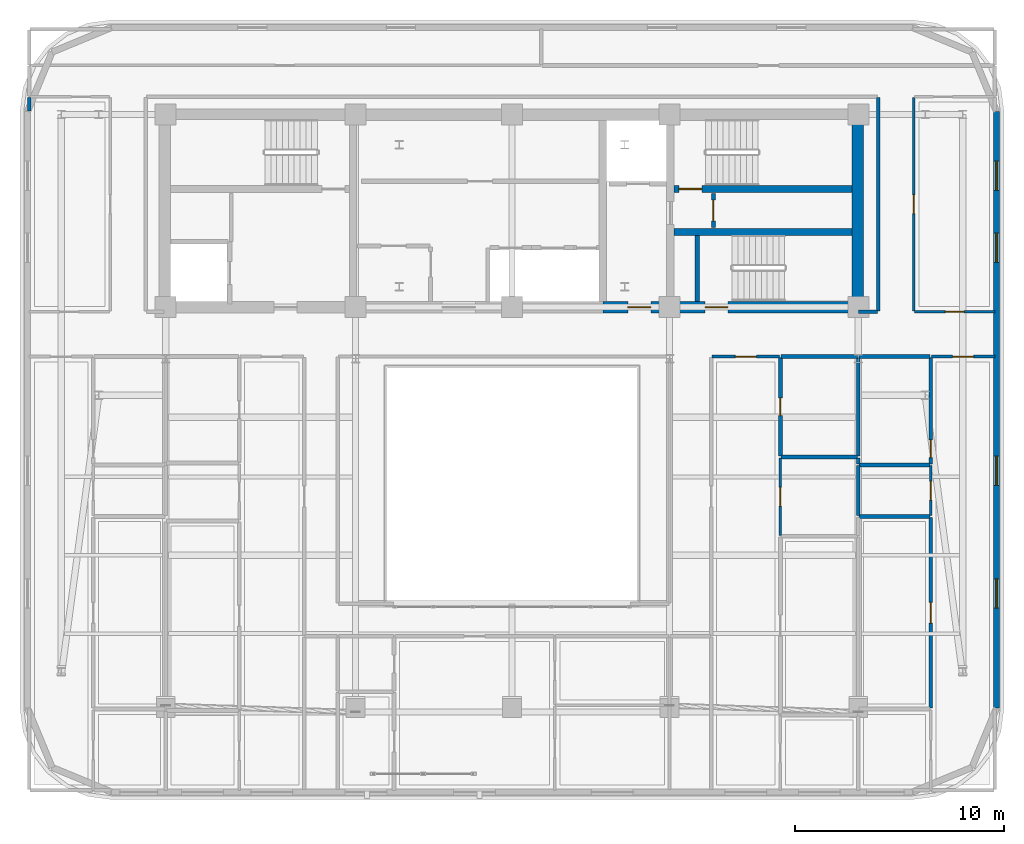
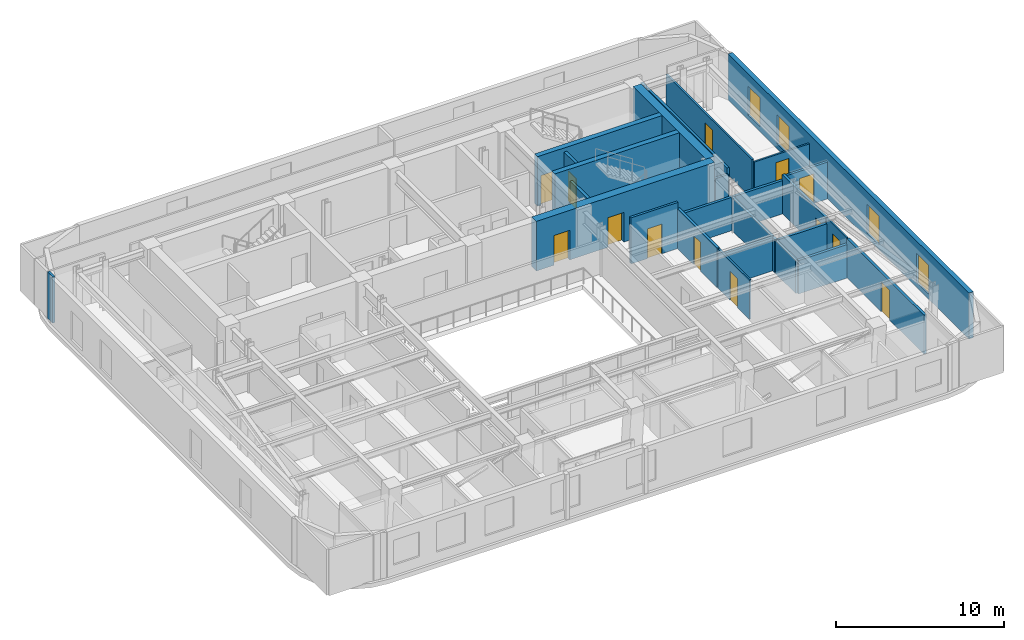
# One storey, part 9 of 14: 27 walls, 13 doors, 4 windows, 17 openings.
"""IFC4 building model written with IfcOpenShell, lengths in metres."""

from ifc_helpers import new_model, si_unit, direction, frame, frame_2d, origin, place, context, subcontext, project, spatial, rectangle, extrude, material, layer, layer_set, type_object, element, fill, save


model = new_model("IFC4")

# Units and contexts
model_context = context("Model", 3, precision=1e-05, world=origin(), true_north=direction((0.0, 1.0)))
body_context = subcontext(model_context, "Body", "Model", "MODEL_VIEW")
ifc_project = project(units=[si_unit("LENGTHUNIT", "METRE"), si_unit("AREAUNIT", "SQUARE_METRE"), si_unit("VOLUMEUNIT", "CUBIC_METRE"), si_unit("PLANEANGLEUNIT", "RADIAN"), si_unit("MASSUNIT", "GRAM", prefix="KILO")], contexts=[model_context])

# Site, building, storey
site_placement = place(None, origin())
site = spatial("IfcSite", under=ifc_project, at=site_placement, CompositionType="ELEMENT")
building_placement = place(site_placement, origin())
building = spatial("IfcBuilding", under=site, at=building_placement, Name="Zarnavel Station Tower", CompositionType="ELEMENT")
storey_placement = place(building_placement, frame((0.0, 0.0, 193.199951171875)))
storey = spatial("IfcBuildingStorey", under=building, at=storey_placement, Name="L52", CompositionType="ELEMENT", Elevation=193.199951171875)

# Wall, opening, door
ifc_material_1 = material(Name="Concrete C50/60", Category="concrete")
ifc_layer_1 = layer(ifc_material_1, 0.35009765625)
ifc_layer_set_1 = layer_set([ifc_layer_1], Name="CW_350")
wall_type_1 = type_object("IfcWallType", Name="CW_350", PredefinedType="SHEAR", material=ifc_layer_set_1)
wall_1_placement = place(storey_placement, frame((45.10498046875, 33.47998046875, 0.0), z_axis=(0.0, 0.0, 1.0), x_axis=(-1.0, 0.0, 0.0)))
wall_1 = element("IfcWall", 1, at=wall_1_placement, inside=storey, type_object=wall_type_1, Name="L52 Rear Core Shear Wall DIV-H2", PredefinedType="SHEAR", context=body_context, shape_type="SweptSolid", body=[
    extrude(rectangle(XDim=8.550048828125, YDim=0.35009765625, at=frame_2d((4.27490234375, 0.0))), origin(), (0.0, 0.0, 1.0), 3.60009765625),
])
opening_1_placement = place(wall_1_placement, frame((7.205078125, 0.0, 0.0)))
opening_1 = element("IfcOpeningElement", 2, at=opening_1_placement, cuts=wall_1, Name="Opening FD01", PredefinedType="OPENING", context=body_context, shape_type="SweptSolid", body=[
    extrude(rectangle(XDim=1.10009765625, YDim=2.14990234375, at=frame_2d((0.550048828125, 1.074951171875))), frame((0.0, 0.18505859375, 0.0), z_axis=(0.0, -1.0, 0.0), x_axis=(1.0, 0.0, 0.0)), (0.0, 0.0, 1.0), 0.3701171875),
])
ifc_material_2 = material(Name="Painted Galvanised Steel and Hardwood Leaf", Category="steel")
door_type_1 = type_object("IfcDoorType", Name="ID_STAIR_1100", OperationType="NOTDEFINED", PredefinedType="DOOR", material=ifc_material_2)
door_1_placement = place(opening_1_placement, origin())
door_1 = element("IfcDoor", 3, at=door_1_placement, inside=storey, type_object=door_type_1, Name="L52 Stair ST2 Lobby Fire Door", OperationType="SINGLE_SWING_RIGHT", OverallHeight=2.14990234375, OverallWidth=1.10009765625, PredefinedType="DOOR", context=body_context, shape_type="SweptSolid", body=[
    extrude(rectangle(XDim=1.10009765625, YDim=2.14990234375, at=frame_2d((0.550048828125, 1.074951171875))), frame((0.0, 0.02490234375, 0.0), z_axis=(0.0, -1.0, 0.0), x_axis=(1.0, 0.0, 0.0)), (0.0, 0.0, 1.0), 0.050048828125),
])
fill(opening_1, door_1)

# Wall
wall_2_placement = place(storey_placement, frame((36.554931640625, 31.419921875, 0.0), z_axis=(0.0, 0.0, 1.0), x_axis=(1.0, 0.0, 0.0)))
element("IfcWall", 4, at=wall_2_placement, inside=storey, type_object=wall_type_1, Name="L52 Rear Core Shear Wall DIV-H3", PredefinedType="SHEAR", context=body_context, shape_type="SweptSolid", body=[
    extrude(rectangle(XDim=8.550048828125, YDim=0.35009765625, at=frame_2d((4.27490234375, 0.0))), origin(), (0.0, 0.0, 1.0), 3.60009765625),
])

# Wall, openings, doors
ifc_material_3 = material(Name="Concrete C50/60", Category="concrete")
ifc_layer_2 = layer(ifc_material_3, 0.550048828125)
ifc_layer_set_2 = layer_set([ifc_layer_2], Name="CW_550")
wall_type_2 = type_object("IfcWallType", Name="CW_550", PredefinedType="SHEAR", material=ifc_layer_set_2)
wall_3_placement = place(storey_placement, frame((45.3798828125, 27.820068359375, 0.0), z_axis=(0.0, 0.0, 1.0), x_axis=(-1.0, 0.0, 0.0)))
wall_3 = element("IfcWall", 5, at=wall_3_placement, inside=storey, type_object=wall_type_2, Name="L52 Rear Core Shear Wall S-E", PredefinedType="SHEAR", context=body_context, shape_type="SweptSolid", body=[
    extrude(rectangle(XDim=12.22998046875, YDim=0.550048828125, at=frame_2d((6.114990234375, 0.0))), origin(), (0.0, 0.0, 1.0), 3.60009765625),
])
opening_2_placement = place(wall_3_placement, frame((9.929931640625, 0.0, 0.0)))
opening_2 = element("IfcOpeningElement", 6, at=opening_2_placement, cuts=wall_3, Name="Opening FD01", PredefinedType="OPENING", context=body_context, shape_type="SweptSolid", body=[
    extrude(rectangle(XDim=1.10009765625, YDim=2.14990234375, at=frame_2d((0.550048828125, 1.074951171875))), frame((0.0, 0.284912109375, 0.0), z_axis=(0.0, -1.0, 0.0), x_axis=(1.0, 0.0, 0.0)), (0.0, 0.0, 1.0), 0.570068359375),
])
opening_3_placement = place(wall_3_placement, frame((6.22998046875, 0.0, 0.0)))
opening_3 = element("IfcOpeningElement", 7, at=opening_3_placement, cuts=wall_3, Name="Opening FD01", PredefinedType="OPENING", context=body_context, shape_type="SweptSolid", body=[
    extrude(rectangle(XDim=1.10009765625, YDim=2.14990234375, at=frame_2d((0.550048828125, 1.074951171875))), frame((0.0, 0.284912109375, 0.0), z_axis=(0.0, -1.0, 0.0), x_axis=(1.0, 0.0, 0.0)), (0.0, 0.0, 1.0), 0.570068359375),
])
door_2_placement = place(opening_2_placement, origin())
door_2 = element("IfcDoor", 8, at=door_2_placement, inside=storey, type_object=door_type_1, Name="L52 East Firefighting Lobby Door", OperationType="SINGLE_SWING_LEFT", OverallHeight=2.14990234375, OverallWidth=1.10009765625, PredefinedType="DOOR", context=body_context, shape_type="SweptSolid", body=[
    extrude(rectangle(XDim=1.10009765625, YDim=2.14990234375, at=frame_2d((0.550048828125, 1.074951171875))), frame((0.0, 0.02490234375, 0.0), z_axis=(0.0, -1.0, 0.0), x_axis=(1.0, 0.0, 0.0)), (0.0, 0.0, 1.0), 0.050048828125),
])
fill(opening_2, door_2)
door_3_placement = place(opening_3_placement, origin())
door_3 = element("IfcDoor", 9, at=door_3_placement, inside=storey, type_object=door_type_1, Name="L52 Stair ST3 Corridor Fire Door", OperationType="SINGLE_SWING_RIGHT", OverallHeight=2.14990234375, OverallWidth=1.10009765625, PredefinedType="DOOR", context=body_context, shape_type="SweptSolid", body=[
    extrude(rectangle(XDim=1.10009765625, YDim=2.14990234375, at=frame_2d((0.550048828125, 1.074951171875))), frame((0.0, 0.02490234375, 0.0), z_axis=(0.0, -1.0, 0.0), x_axis=(1.0, 0.0, 0.0)), (0.0, 0.0, 1.0), 0.050048828125),
])
fill(opening_3, door_3)

# Wall
wall_4_placement = place(storey_placement, frame((45.3798828125, 28.094970703125, 0.0), z_axis=(0.0, 0.0, 1.0), x_axis=(0.0, 1.0, 0.0)))
element("IfcWall", 10, at=wall_4_placement, inside=storey, type_object=wall_type_2, Name="L52 Rear Core Shear Wall E", PredefinedType="SHEAR", context=body_context, shape_type="SweptSolid", body=[
    extrude(rectangle(XDim=8.679931640625, YDim=0.550048828125, at=frame_2d((4.33984375, 0.0))), origin(), (0.0, 0.0, 1.0), 3.60009765625),
])

# Wall, openings, windows
ifc_material_4 = material(Name="Precast concrete C45/55 (Dark Basalt Finish)", Category="masonry")
ifc_layer_3 = layer(ifc_material_4, 0.300048828125)
ifc_layer_set_3 = layer_set([ifc_layer_3], Name="EW_BASALT_300")
wall_type_3 = type_object("IfcWallType", Name="EW_BASALT_300", PredefinedType="SOLIDWALL", material=ifc_layer_set_3)
wall_5_placement = place(storey_placement, frame((52.02001953125, 37.199951171875, 0.0), z_axis=(0.0, 0.0, 1.0), x_axis=(0.0, -1.0, 0.0)))
wall_5 = element("IfcWall", 11, at=wall_5_placement, inside=storey, type_object=wall_type_3, Name="L52 Exterior Basalt Masonry Frame Wall 03", PredefinedType="SOLIDWALL", context=body_context, shape_type="SweptSolid", body=[
    extrude(rectangle(XDim=28.599853515625, YDim=0.300048828125, at=frame_2d((14.2998046875, 0.0))), origin(), (0.0, 0.0, 1.0), 3.340087890625),
])
opening_4_placement = place(wall_5_placement, frame((2.3798828125, 0.0, 0.340087890625)))
opening_4 = element("IfcOpeningElement", 12, at=opening_4_placement, cuts=wall_5, Name="Opening WN04", PredefinedType="OPENING", context=body_context, shape_type="SweptSolid", body=[
    extrude(rectangle(XDim=1.39990234375, YDim=2.10009765625, at=frame_2d((0.699951171875, 1.050048828125))), frame((0.0, 0.159912109375, 0.0), z_axis=(0.0, -1.0, 0.0), x_axis=(1.0, 0.0, 0.0)), (0.0, 0.0, 1.0), 0.320068359375),
])
opening_5_placement = place(wall_5_placement, frame((5.840087890625, 0.0, 0.340087890625)))
opening_5 = element("IfcOpeningElement", 13, at=opening_5_placement, cuts=wall_5, Name="Opening WN04", PredefinedType="OPENING", context=body_context, shape_type="SweptSolid", body=[
    extrude(rectangle(XDim=1.39990234375, YDim=2.10009765625, at=frame_2d((0.699951171875, 1.050048828125))), frame((0.0, 0.159912109375, 0.0), z_axis=(0.0, -1.0, 0.0), x_axis=(1.0, 0.0, 0.0)), (0.0, 0.0, 1.0), 0.320068359375),
])
opening_6_placement = place(wall_5_placement, frame((16.526611328125, 0.0, 0.340087890625)))
opening_6 = element("IfcOpeningElement", 14, at=opening_6_placement, cuts=wall_5, Name="Opening WN04", PredefinedType="OPENING", context=body_context, shape_type="SweptSolid", body=[
    extrude(rectangle(XDim=1.39990234375, YDim=2.10009765625, at=frame_2d((0.699951171875, 1.050048828125))), frame((0.0, 0.159912109375, 0.0), z_axis=(0.0, -1.0, 0.0), x_axis=(1.0, 0.0, 0.0)), (0.0, 0.0, 1.0), 0.320068359375),
])
opening_7_placement = place(wall_5_placement, frame((22.4033203125, 0.0, 0.340087890625)))
opening_7 = element("IfcOpeningElement", 15, at=opening_7_placement, cuts=wall_5, Name="Opening WN04", PredefinedType="OPENING", context=body_context, shape_type="SweptSolid", body=[
    extrude(rectangle(XDim=1.39990234375, YDim=2.10009765625, at=frame_2d((0.699951171875, 1.050048828125))), frame((0.0, 0.159912109375, 0.0), z_axis=(0.0, -1.0, 0.0), x_axis=(1.0, 0.0, 0.0)), (0.0, 0.0, 1.0), 0.320068359375),
])
ifc_material_5 = material(Name="Thermally Broken Black Aluminium and Low-E Dark Glass", Category="aluminium")
window_type = type_object("IfcWindowType", Name="WN_1400x2100", PartitioningType="DOUBLE_PANEL_VERTICAL", PredefinedType="WINDOW", material=ifc_material_5)
window_1_placement = place(opening_4_placement, origin())
window_1 = element("IfcWindow", 16, at=window_1_placement, inside=storey, type_object=window_type, Name="L52 Recessed Facade Window 01", OverallHeight=2.10009765625, OverallWidth=1.39990234375, PartitioningType="SINGLE_PANEL", PredefinedType="WINDOW", context=body_context, shape_type="SweptSolid", body=[
    extrude(rectangle(XDim=1.39990234375, YDim=2.10009765625, at=frame_2d((0.699951171875, 1.050048828125))), frame((0.0, 0.030029296875, 0.0), z_axis=(0.0, -1.0, 0.0), x_axis=(1.0, 0.0, 0.0)), (0.0, 0.0, 1.0), 0.06005859375),
])
fill(opening_4, window_1)
window_2_placement = place(opening_5_placement, origin())
window_2 = element("IfcWindow", 17, at=window_2_placement, inside=storey, type_object=window_type, Name="L52 Recessed Facade Window 02", OverallHeight=2.10009765625, OverallWidth=1.39990234375, PartitioningType="SINGLE_PANEL", PredefinedType="WINDOW", context=body_context, shape_type="SweptSolid", body=[
    extrude(rectangle(XDim=1.39990234375, YDim=2.10009765625, at=frame_2d((0.699951171875, 1.050048828125))), frame((0.0, 0.030029296875, 0.0), z_axis=(0.0, -1.0, 0.0), x_axis=(1.0, 0.0, 0.0)), (0.0, 0.0, 1.0), 0.06005859375),
])
fill(opening_5, window_2)
window_3_placement = place(opening_6_placement, origin())
window_3 = element("IfcWindow", 18, at=window_3_placement, inside=storey, type_object=window_type, Name="L52 Recessed Facade Window 03", OverallHeight=2.10009765625, OverallWidth=1.39990234375, PartitioningType="SINGLE_PANEL", PredefinedType="WINDOW", context=body_context, shape_type="SweptSolid", body=[
    extrude(rectangle(XDim=1.39990234375, YDim=2.10009765625, at=frame_2d((0.699951171875, 1.050048828125))), frame((0.0, 0.030029296875, 0.0), z_axis=(0.0, -1.0, 0.0), x_axis=(1.0, 0.0, 0.0)), (0.0, 0.0, 1.0), 0.06005859375),
])
fill(opening_6, window_3)
window_4_placement = place(opening_7_placement, origin())
window_4 = element("IfcWindow", 19, at=window_4_placement, inside=storey, type_object=window_type, Name="L52 Recessed Facade Window 04", OverallHeight=2.10009765625, OverallWidth=1.39990234375, PartitioningType="SINGLE_PANEL", PredefinedType="WINDOW", context=body_context, shape_type="SweptSolid", body=[
    extrude(rectangle(XDim=1.39990234375, YDim=2.10009765625, at=frame_2d((0.699951171875, 1.050048828125))), frame((0.0, 0.030029296875, 0.0), z_axis=(0.0, -1.0, 0.0), x_axis=(1.0, 0.0, 0.0)), (0.0, 0.0, 1.0), 0.06005859375),
])
fill(opening_7, window_4)

# Wall, opening, door
ifc_material_6 = material(Name="Gypsum Twin-Stud Acoustic Fire Partition", Category="concrete")
ifc_layer_4 = layer(ifc_material_6, 0.159912109375)
ifc_layer_set_4 = layer_set([ifc_layer_4], Name="PT_DEMISE_160")
wall_type_4 = type_object("IfcWallType", Name="PT_DEMISE_160", PredefinedType="PARTITIONING", material=ifc_layer_set_4)
wall_6_placement = place(storey_placement, frame((38.389892578125, 25.449951171875, 0.0), z_axis=(0.0, 0.0, 1.0), x_axis=(1.0, 0.0, 0.0)))
wall_6 = element("IfcWall", 20, at=wall_6_placement, inside=storey, type_object=wall_type_4, Name="L52 Partition COR-S-UE1LV", PredefinedType="PARTITIONING", context=body_context, shape_type="SweptSolid", body=[
    extrude(rectangle(XDim=3.233154296875, YDim=0.159912109375, at=frame_2d((1.61669921875, 0.0))), origin(), (0.0, 0.0, 1.0), 3.340087890625),
])
opening_8_placement = place(wall_6_placement, frame((1.116455078125, 0.0, 0.0)))
opening_8 = element("IfcOpeningElement", 21, at=opening_8_placement, cuts=wall_6, Name="Opening FD02", PredefinedType="OPENING", context=body_context, shape_type="SweptSolid", body=[
    extrude(rectangle(XDim=1.0, YDim=2.14990234375, at=frame_2d((0.5, 1.074951171875))), frame((0.0, 0.08984375, 0.0), z_axis=(0.0, -1.0, 0.0), x_axis=(1.0, 0.0, 0.0)), (0.0, 0.0, 1.0), 0.179931640625),
])
ifc_material_7 = material(Name="Painted Galvanised Steel and Hardwood Leaf", Category="steel")
door_type_2 = type_object("IfcDoorType", Name="ID_ENTRY_1000", OperationType="NOTDEFINED", PredefinedType="DOOR", material=ifc_material_7)
door_4_placement = place(opening_8_placement, origin())
door_4 = element("IfcDoor", 22, at=door_4_placement, inside=storey, type_object=door_type_2, Name="L52 Door COR-S-UE1LV", OperationType="SINGLE_SWING_RIGHT", OverallHeight=2.14990234375, OverallWidth=1.0, PredefinedType="DOOR", context=body_context, shape_type="SweptSolid", body=[
    extrude(rectangle(XDim=1.0, YDim=2.14990234375, at=frame_2d((0.5, 1.074951171875))), frame((0.0, 0.02490234375, 0.0), z_axis=(0.0, -1.0, 0.0), x_axis=(1.0, 0.0, 0.0)), (0.0, 0.0, 1.0), 0.050048828125),
])
fill(opening_8, door_4)

wall_7_placement = place(storey_placement, frame((48.906005859375, 25.449951171875, 0.0), z_axis=(0.0, 0.0, 1.0), x_axis=(1.0, 0.0, 0.0)))
wall_7 = element("IfcWall", 23, at=wall_7_placement, inside=storey, type_object=wall_type_4, Name="L52 Partition COR-S-UE2LV", PredefinedType="PARTITIONING", context=body_context, shape_type="SweptSolid", body=[
    extrude(rectangle(XDim=3.033935546875, YDim=0.159912109375, at=frame_2d((1.51708984375, 0.0))), origin(), (0.0, 0.0, 1.0), 2.670166015625),
])
opening_9_placement = place(wall_7_placement, frame((1.01708984375, 0.0, 0.0)))
opening_9 = element("IfcOpeningElement", 24, at=opening_9_placement, cuts=wall_7, Name="Opening FD02", PredefinedType="OPENING", context=body_context, shape_type="SweptSolid", body=[
    extrude(rectangle(XDim=1.0, YDim=2.14990234375, at=frame_2d((0.5, 1.074951171875))), frame((0.0, 0.08984375, 0.0), z_axis=(0.0, -1.0, 0.0), x_axis=(1.0, 0.0, 0.0)), (0.0, 0.0, 1.0), 0.179931640625),
])
door_5_placement = place(opening_9_placement, origin())
door_5 = element("IfcDoor", 25, at=door_5_placement, inside=storey, type_object=door_type_2, Name="L52 Door COR-S-UE2LV", OperationType="SINGLE_SWING_LEFT", OverallHeight=2.14990234375, OverallWidth=1.0, PredefinedType="DOOR", context=body_context, shape_type="SweptSolid", body=[
    extrude(rectangle(XDim=1.0, YDim=2.14990234375, at=frame_2d((0.5, 1.074951171875))), frame((0.0, 0.02490234375, 0.0), z_axis=(0.0, -1.0, 0.0), x_axis=(1.0, 0.0, 0.0)), (0.0, 0.0, 1.0), 0.050048828125),
])
fill(opening_9, door_5)

# Walls
wall_8_placement = place(storey_placement, frame((45.39990234375, 17.827880859375, 0.0), z_axis=(0.0, 0.0, 1.0), x_axis=(0.0, 1.0, 0.0)))
element("IfcWall", 26, at=wall_8_placement, inside=storey, type_object=wall_type_4, Name="L52 Partition UE1UT-UE2UT", PredefinedType="PARTITIONING", context=body_context, shape_type="SweptSolid", body=[
    extrude(rectangle(XDim=2.38916015625, YDim=0.159912109375, at=frame_2d((1.194580078125, 0.0))), origin(), (0.0, 0.0, 1.0), 2.420166015625),
])
wall_9_placement = place(storey_placement, frame((45.409912109375, 27.60009765625, 0.0), z_axis=(0.0, 0.0, 1.0), x_axis=(1.0, 0.0, 0.0)))
element("IfcWall", 27, at=wall_9_placement, inside=storey, type_object=wall_type_4, Name="L52 Enclosure Wall COR-S", PredefinedType="PARTITIONING", context=body_context, shape_type="SweptSolid", body=[
    extrude(rectangle(XDim=0.91015625, YDim=0.159912109375, at=frame_2d((0.455078125, 0.0))), origin(), (0.0, 0.0, 1.0), 2.41015625),
])
wall_10_placement = place(storey_placement, frame((46.35009765625, 27.6298828125, 0.0), z_axis=(0.0, 0.0, 1.0), x_axis=(0.0, 1.0, 0.0)))
element("IfcWall", 28, at=wall_10_placement, inside=storey, type_object=wall_type_4, Name="L52 Enclosure Wall COR-E", PredefinedType="PARTITIONING", context=body_context, shape_type="SweptSolid", body=[
    extrude(rectangle(XDim=10.240234375, YDim=0.159912109375, at=frame_2d((5.1201171875, 0.0))), origin(), (0.0, 0.0, 1.0), 2.820068359375),
])
wall_11_placement = place(storey_placement, frame((5.659912109375, 37.22998046875, 0.0), z_axis=(0.0, 0.0, 1.0), x_axis=(0.0, 1.0, 0.0)))
element("IfcWall", 29, at=wall_11_placement, inside=storey, type_object=wall_type_4, Name="L52 Enclosure Wall FNW", PredefinedType="PARTITIONING", context=body_context, shape_type="SweptSolid", body=[
    extrude(rectangle(XDim=0.64013671875, YDim=0.159912109375, at=frame_2d((0.320068359375, 0.0))), origin(), (0.0, 0.0, 1.0), 3.340087890625),
])

# Wall, opening, door
ifc_material_8 = material(Name="Gypsum Metal-Stud Interior Partition", Category="concrete")
ifc_layer_5 = layer(ifc_material_8, 0.1201171875)
ifc_layer_set_5 = layer_set([ifc_layer_5], Name="PT_ROOM_120")
wall_type_5 = type_object("IfcWallType", Name="PT_ROOM_120", PredefinedType="PARTITIONING", material=ifc_layer_set_5)
wall_12_placement = place(storey_placement, frame((48.090087890625, 27.60009765625, 0.0), z_axis=(0.0, 0.0, 1.0), x_axis=(1.0, 0.0, 0.0)))
wall_12 = element("IfcWall", 30, at=wall_12_placement, inside=storey, type_object=wall_type_5, Name="L52 Partition COR-S-FNE", PredefinedType="PARTITIONING", context=body_context, shape_type="SweptSolid", body=[
    extrude(rectangle(XDim=3.849853515625, YDim=0.1201171875, at=frame_2d((1.9248046875, 0.0))), origin(), (0.0, 0.0, 1.0), 2.670166015625),
])
opening_10_placement = place(wall_12_placement, frame((1.47509765625, 0.0, 0.0)))
opening_10 = element("IfcOpeningElement", 31, at=opening_10_placement, cuts=wall_12, Name="Opening ID01", PredefinedType="OPENING", context=body_context, shape_type="SweptSolid", body=[
    extrude(rectangle(XDim=0.89990234375, YDim=2.10009765625, at=frame_2d((0.449951171875, 1.050048828125))), frame((0.0, 0.070068359375, 0.0), z_axis=(0.0, -1.0, 0.0), x_axis=(1.0, 0.0, 0.0)), (0.0, 0.0, 1.0), 0.14013671875),
])
ifc_material_9 = material(Name="Painted Galvanised Steel and Hardwood Leaf", Category="steel")
door_type_3 = type_object("IfcDoorType", Name="ID_ROOM_900", OperationType="NOTDEFINED", PredefinedType="DOOR", material=ifc_material_9)
door_6_placement = place(opening_10_placement, origin())
door_6 = element("IfcDoor", 32, at=door_6_placement, inside=storey, type_object=door_type_3, Name="L52 Door COR-S-FNE", OperationType="SINGLE_SWING_LEFT", OverallHeight=2.10009765625, OverallWidth=0.89990234375, PredefinedType="DOOR", context=body_context, shape_type="SweptSolid", body=[
    extrude(rectangle(XDim=0.89990234375, YDim=2.10009765625, at=frame_2d((0.449951171875, 1.050048828125))), frame((0.0, 0.02490234375, 0.0), z_axis=(0.0, -1.0, 0.0), x_axis=(1.0, 0.0, 0.0)), (0.0, 0.0, 1.0), 0.050048828125),
])
fill(opening_10, door_6)

wall_13_placement = place(storey_placement, frame((48.050048828125, 27.639892578125, 0.0), z_axis=(0.0, 0.0, 1.0), x_axis=(0.0, 1.0, 0.0)))
wall_13 = element("IfcWall", 33, at=wall_13_placement, inside=storey, type_object=wall_type_5, Name="L52 Partition COR-E-FNE", PredefinedType="PARTITIONING", context=body_context, shape_type="SweptSolid", body=[
    extrude(rectangle(XDim=10.22021484375, YDim=0.1201171875, at=frame_2d((5.110107421875, 0.0))), origin(), (0.0, 0.0, 1.0), 2.820068359375),
])
opening_11_placement = place(wall_13_placement, frame((4.659912109375, 0.0, 0.0)))
opening_11 = element("IfcOpeningElement", 34, at=opening_11_placement, cuts=wall_13, Name="Opening ID01", PredefinedType="OPENING", context=body_context, shape_type="SweptSolid", body=[
    extrude(rectangle(XDim=0.89990234375, YDim=2.10009765625, at=frame_2d((0.449951171875, 1.050048828125))), frame((0.0, 0.070068359375, 0.0), z_axis=(0.0, -1.0, 0.0), x_axis=(1.0, 0.0, 0.0)), (0.0, 0.0, 1.0), 0.14013671875),
])
door_7_placement = place(opening_11_placement, origin())
door_7 = element("IfcDoor", 35, at=door_7_placement, inside=storey, type_object=door_type_3, Name="L52 Door COR-E-FNE", OperationType="SINGLE_SWING_RIGHT", OverallHeight=2.10009765625, OverallWidth=0.89990234375, PredefinedType="DOOR", context=body_context, shape_type="SweptSolid", body=[
    extrude(rectangle(XDim=0.89990234375, YDim=2.10009765625, at=frame_2d((0.449951171875, 1.050048828125))), frame((0.0, 0.02490234375, 0.0), z_axis=(0.0, -1.0, 0.0), x_axis=(1.0, 0.0, 0.0)), (0.0, 0.0, 1.0), 0.050048828125),
])
fill(opening_11, door_7)

wall_14_placement = place(storey_placement, frame((41.6630859375, 16.8759765625, 0.0), z_axis=(0.0, 0.0, 1.0), x_axis=(0.0, 1.0, 0.0)))
wall_14 = element("IfcWall", 36, at=wall_14_placement, inside=storey, type_object=wall_type_5, Name="L52 Partition UE1LV-UE1UT", PredefinedType="PARTITIONING", context=body_context, shape_type="SweptSolid", body=[
    extrude(rectangle(XDim=3.717041015625, YDim=0.1201171875, at=frame_2d((1.8583984375, 0.0))), origin(), (0.0, 0.0, 1.0), 2.8701171875),
])
opening_12_placement = place(wall_14_placement, frame((1.408447265625, 0.0, 0.0)))
opening_12 = element("IfcOpeningElement", 37, at=opening_12_placement, cuts=wall_14, Name="Opening ID01", PredefinedType="OPENING", context=body_context, shape_type="SweptSolid", body=[
    extrude(rectangle(XDim=0.89990234375, YDim=2.10009765625, at=frame_2d((0.449951171875, 1.050048828125))), frame((0.0, 0.070068359375, 0.0), z_axis=(0.0, -1.0, 0.0), x_axis=(1.0, 0.0, 0.0)), (0.0, 0.0, 1.0), 0.14013671875),
])
door_8_placement = place(opening_12_placement, origin())
door_8 = element("IfcDoor", 38, at=door_8_placement, inside=storey, type_object=door_type_3, Name="L52 Door UE1LV-UE1UT", OperationType="SINGLE_SWING_LEFT", OverallHeight=2.10009765625, OverallWidth=0.89990234375, PredefinedType="DOOR", context=body_context, shape_type="SweptSolid", body=[
    extrude(rectangle(XDim=0.89990234375, YDim=2.10009765625, at=frame_2d((0.449951171875, 1.050048828125))), frame((0.0, 0.02490234375, 0.0), z_axis=(0.0, -1.0, 0.0), x_axis=(1.0, 0.0, 0.0)), (0.0, 0.0, 1.0), 0.050048828125),
])
fill(opening_12, door_8)

wall_15_placement = place(storey_placement, frame((48.865966796875, 17.827880859375, 0.0), z_axis=(0.0, 0.0, 1.0), x_axis=(0.0, 1.0, 0.0)))
wall_15 = element("IfcWall", 39, at=wall_15_placement, inside=storey, type_object=wall_type_5, Name="L52 Partition UE2LV-UE2UT", PredefinedType="PARTITIONING", context=body_context, shape_type="SweptSolid", body=[
    extrude(rectangle(XDim=2.38916015625, YDim=0.1201171875, at=frame_2d((1.194580078125, 0.0))), origin(), (0.0, 0.0, 1.0), 2.820068359375),
])
opening_13_placement = place(wall_15_placement, frame((0.744384765625, 0.0, 0.0)))
opening_13 = element("IfcOpeningElement", 40, at=opening_13_placement, cuts=wall_15, Name="Opening ID01", PredefinedType="OPENING", context=body_context, shape_type="SweptSolid", body=[
    extrude(rectangle(XDim=0.89990234375, YDim=2.10009765625, at=frame_2d((0.449951171875, 1.050048828125))), frame((0.0, 0.070068359375, 0.0), z_axis=(0.0, -1.0, 0.0), x_axis=(1.0, 0.0, 0.0)), (0.0, 0.0, 1.0), 0.14013671875),
])
door_9_placement = place(opening_13_placement, origin())
door_9 = element("IfcDoor", 41, at=door_9_placement, inside=storey, type_object=door_type_3, Name="L52 Door UE2LV-UE2UT", OperationType="SINGLE_SWING_LEFT", OverallHeight=2.10009765625, OverallWidth=0.89990234375, PredefinedType="DOOR", context=body_context, shape_type="SweptSolid", body=[
    extrude(rectangle(XDim=0.89990234375, YDim=2.10009765625, at=frame_2d((0.449951171875, 1.050048828125))), frame((0.0, 0.02490234375, 0.0), z_axis=(0.0, -1.0, 0.0), x_axis=(1.0, 0.0, 0.0)), (0.0, 0.0, 1.0), 0.050048828125),
])
fill(opening_13, door_9)

# Wall
ifc_material_10 = material(Name="Precast concrete C45/55 (Fire Shaft Blockwork)", Category="masonry")
ifc_layer_6 = layer(ifc_material_10, 0.199951171875)
ifc_layer_set_6 = layer_set([ifc_layer_6], Name="PT_SHAFT_200")
wall_type_6 = type_object("IfcWallType", Name="PT_SHAFT_200", PredefinedType="PARTITIONING", material=ifc_layer_set_6)
wall_16_placement = place(storey_placement, frame((37.679931640625, 28.094970703125, 0.0), z_axis=(0.0, 0.0, 1.0), x_axis=(0.0, 1.0, 0.0)))
element("IfcWall", 42, at=wall_16_placement, inside=storey, type_object=wall_type_6, Name="L52 Stair ST3 West Shaft Wall", PredefinedType="PARTITIONING", context=body_context, shape_type="SweptSolid", body=[
    extrude(rectangle(XDim=3.155029296875, YDim=0.199951171875, at=frame_2d((1.57763671875, 0.0))), origin(), (0.0, 0.0, 1.0), 2.719970703125),
])

# Wall, opening, door
wall_17_placement = place(storey_placement, frame((38.449951171875, 31.639892578125, 0.0), z_axis=(0.0, 0.0, 1.0), x_axis=(0.0, 1.0, 0.0)))
wall_17 = element("IfcWall", 43, at=wall_17_placement, inside=storey, type_object=wall_type_6, Name="L52 Partition ESTV-CEA", PredefinedType="PARTITIONING", context=body_context, shape_type="SweptSolid", body=[
    extrude(rectangle(XDim=1.6201171875, YDim=0.199951171875, at=frame_2d((0.81005859375, 0.0))), origin(), (0.0, 0.0, 1.0), 3.340087890625),
])
opening_14_placement = place(wall_17_placement, frame((0.31005859375, 0.0, 0.0)))
opening_14 = element("IfcOpeningElement", 44, at=opening_14_placement, cuts=wall_17, Name="Opening FD02", PredefinedType="OPENING", context=body_context, shape_type="SweptSolid", body=[
    extrude(rectangle(XDim=1.0, YDim=2.14990234375, at=frame_2d((0.5, 1.074951171875))), frame((0.0, 0.10986328125, 0.0), z_axis=(0.0, -1.0, 0.0), x_axis=(1.0, 0.0, 0.0)), (0.0, 0.0, 1.0), 0.219970703125),
])
door_10_placement = place(opening_14_placement, origin())
door_10 = element("IfcDoor", 45, at=door_10_placement, inside=storey, type_object=door_type_2, Name="L52 Door ESTV-CEA", OperationType="SINGLE_SWING_RIGHT", OverallHeight=2.14990234375, OverallWidth=1.0, PredefinedType="DOOR", context=body_context, shape_type="SweptSolid", body=[
    extrude(rectangle(XDim=1.0, YDim=2.14990234375, at=frame_2d((0.5, 1.074951171875))), frame((0.0, 0.02490234375, 0.0), z_axis=(0.0, -1.0, 0.0), x_axis=(1.0, 0.0, 0.0)), (0.0, 0.0, 1.0), 0.050048828125),
])
fill(opening_14, door_10)

# Walls
ifc_material_11 = material(Name="Moisture-Resistant Plumbing Chase Wall", Category="concrete")
ifc_layer_7 = layer(ifc_material_11, 0.179931640625)
ifc_layer_set_7 = layer_set([ifc_layer_7], Name="PW_PLUMB_180")
wall_type_7 = type_object("IfcWallType", Name="PW_PLUMB_180", PredefinedType="PLUMBINGWALL", material=ifc_layer_set_7)
wall_18_placement = place(storey_placement, frame((41.702880859375, 25.449951171875, 0.0), z_axis=(0.0, 0.0, 1.0), x_axis=(1.0, 0.0, 0.0)))
element("IfcWall", 46, at=wall_18_placement, inside=storey, type_object=wall_type_7, Name="L52 Partition COR-S-UE1BA", PredefinedType="PLUMBINGWALL", context=body_context, shape_type="SweptSolid", body=[
    extrude(rectangle(XDim=3.6572265625, YDim=0.179931640625, at=frame_2d((1.82861328125, 0.0))), origin(), (0.0, 0.0, 1.0), 2.420166015625),
])
wall_19_placement = place(storey_placement, frame((45.43994140625, 25.449951171875, 0.0), z_axis=(0.0, 0.0, 1.0), x_axis=(1.0, 0.0, 0.0)))
element("IfcWall", 47, at=wall_19_placement, inside=storey, type_object=wall_type_7, Name="L52 Partition COR-S-UE2BA", PredefinedType="PLUMBINGWALL", context=body_context, shape_type="SweptSolid", body=[
    extrude(rectangle(XDim=3.385986328125, YDim=0.179931640625, at=frame_2d((1.69287109375, 0.0))), origin(), (0.0, 0.0, 1.0), 2.420166015625),
])

# Wall, opening, door
wall_20_placement = place(storey_placement, frame((41.6630859375, 20.673095703125, 0.0), z_axis=(0.0, 0.0, 1.0), x_axis=(0.0, 1.0, 0.0)))
wall_20 = element("IfcWall", 48, at=wall_20_placement, inside=storey, type_object=wall_type_7, Name="L52 Partition UE1LV-UE1BA", PredefinedType="PLUMBINGWALL", context=body_context, shape_type="SweptSolid", body=[
    extrude(rectangle(XDim=4.73681640625, YDim=0.179931640625, at=frame_2d((2.368408203125, 0.0))), origin(), (0.0, 0.0, 1.0), 2.880126953125),
])
opening_15_placement = place(wall_20_placement, frame((1.943603515625, 0.0, 0.0)))
opening_15 = element("IfcOpeningElement", 49, at=opening_15_placement, cuts=wall_20, Name="Opening ID02", PredefinedType="OPENING", context=body_context, shape_type="SweptSolid", body=[
    extrude(rectangle(XDim=0.85009765625, YDim=2.10009765625, at=frame_2d((0.425048828125, 1.050048828125))), frame((0.0, 0.099853515625, 0.0), z_axis=(0.0, -1.0, 0.0), x_axis=(1.0, 0.0, 0.0)), (0.0, 0.0, 1.0), 0.199951171875),
])
ifc_material_12 = material(Name="Painted Galvanised Steel and Hardwood Leaf", Category="steel")
door_type_4 = type_object("IfcDoorType", Name="ID_BATH_850", OperationType="NOTDEFINED", PredefinedType="DOOR", material=ifc_material_12)
door_11_placement = place(opening_15_placement, origin())
door_11 = element("IfcDoor", 50, at=door_11_placement, inside=storey, type_object=door_type_4, Name="L52 Door UE1LV-UE1BA", OperationType="SINGLE_SWING_RIGHT", OverallHeight=2.10009765625, OverallWidth=0.85009765625, PredefinedType="DOOR", context=body_context, shape_type="SweptSolid", body=[
    extrude(rectangle(XDim=0.85009765625, YDim=2.10009765625, at=frame_2d((0.425048828125, 1.050048828125))), frame((0.0, 0.02490234375, 0.0), z_axis=(0.0, -1.0, 0.0), x_axis=(1.0, 0.0, 0.0)), (0.0, 0.0, 1.0), 0.050048828125),
])
fill(opening_15, door_11)

# Walls
wall_21_placement = place(storey_placement, frame((41.702880859375, 20.633056640625, 0.0), z_axis=(0.0, 0.0, 1.0), x_axis=(1.0, 0.0, 0.0)))
element("IfcWall", 51, at=wall_21_placement, inside=storey, type_object=wall_type_7, Name="L52 Partition UE1UT-UE1BA", PredefinedType="PLUMBINGWALL", context=body_context, shape_type="SweptSolid", body=[
    extrude(rectangle(XDim=3.6572265625, YDim=0.179931640625, at=frame_2d((1.82861328125, 0.0))), origin(), (0.0, 0.0, 1.0), 2.420166015625),
])
wall_22_placement = place(storey_placement, frame((45.39990234375, 20.297119140625, 0.0), z_axis=(0.0, 0.0, 1.0), x_axis=(0.0, 1.0, 0.0)))
element("IfcWall", 52, at=wall_22_placement, inside=storey, type_object=wall_type_7, Name="L52 Partition UE1UT-UE2BA", PredefinedType="PLUMBINGWALL", context=body_context, shape_type="SweptSolid", body=[
    extrude(rectangle(XDim=0.2958984375, YDim=0.179931640625, at=frame_2d((0.14794921875, 0.0))), origin(), (0.0, 0.0, 1.0), 2.420166015625),
])
wall_23_placement = place(storey_placement, frame((45.39990234375, 20.673095703125, 0.0), z_axis=(0.0, 0.0, 1.0), x_axis=(0.0, 1.0, 0.0)))
element("IfcWall", 53, at=wall_23_placement, inside=storey, type_object=wall_type_7, Name="L52 Partition UE1BA-UE2BA", PredefinedType="PLUMBINGWALL", context=body_context, shape_type="SweptSolid", body=[
    extrude(rectangle(XDim=4.73681640625, YDim=0.179931640625, at=frame_2d((2.368408203125, 0.0))), origin(), (0.0, 0.0, 1.0), 2.420166015625),
])

# Wall, opening, door
wall_24_placement = place(storey_placement, frame((48.865966796875, 8.594970703125, 0.0), z_axis=(0.0, 0.0, 1.0), x_axis=(0.0, 1.0, 0.0)))
wall_24 = element("IfcWall", 54, at=wall_24_placement, inside=storey, type_object=wall_type_7, Name="L52 Partition UE2LV-UE2KT", PredefinedType="PLUMBINGWALL", context=body_context, shape_type="SweptSolid", body=[
    extrude(rectangle(XDim=9.153076171875, YDim=0.179931640625, at=frame_2d((4.57666015625, 0.0))), origin(), (0.0, 0.0, 1.0), 2.820068359375),
])
opening_16_placement = place(wall_24_placement, frame((4.076416015625, 0.0, 0.0)))
opening_16 = element("IfcOpeningElement", 55, at=opening_16_placement, cuts=wall_24, Name="Opening FD02", PredefinedType="OPENING", context=body_context, shape_type="SweptSolid", body=[
    extrude(rectangle(XDim=1.0, YDim=2.14990234375, at=frame_2d((0.5, 1.074951171875))), frame((0.0, 0.099853515625, 0.0), z_axis=(0.0, -1.0, 0.0), x_axis=(1.0, 0.0, 0.0)), (0.0, 0.0, 1.0), 0.199951171875),
])
door_12_placement = place(opening_16_placement, origin())
door_12 = element("IfcDoor", 56, at=door_12_placement, inside=storey, type_object=door_type_2, Name="L52 Door UE2LV-UE2KT", OperationType="SINGLE_SWING_RIGHT", OverallHeight=2.14990234375, OverallWidth=1.0, PredefinedType="DOOR", context=body_context, shape_type="SweptSolid", body=[
    extrude(rectangle(XDim=1.0, YDim=2.14990234375, at=frame_2d((0.5, 1.074951171875))), frame((0.0, 0.02490234375, 0.0), z_axis=(0.0, -1.0, 0.0), x_axis=(1.0, 0.0, 0.0)), (0.0, 0.0, 1.0), 0.050048828125),
])
fill(opening_16, door_12)

wall_25_placement = place(storey_placement, frame((48.865966796875, 20.297119140625, 0.0), z_axis=(0.0, 0.0, 1.0), x_axis=(0.0, 1.0, 0.0)))
wall_25 = element("IfcWall", 57, at=wall_25_placement, inside=storey, type_object=wall_type_7, Name="L52 Partition UE2LV-UE2BA", PredefinedType="PLUMBINGWALL", context=body_context, shape_type="SweptSolid", body=[
    extrude(rectangle(XDim=5.11279296875, YDim=0.179931640625, at=frame_2d((2.556396484375, 0.0))), origin(), (0.0, 0.0, 1.0), 2.820068359375),
])
opening_17_placement = place(wall_25_placement, frame((0.305908203125, 0.0, 0.0)))
opening_17 = element("IfcOpeningElement", 58, at=opening_17_placement, cuts=wall_25, Name="Opening ID02", PredefinedType="OPENING", context=body_context, shape_type="SweptSolid", body=[
    extrude(rectangle(XDim=0.85009765625, YDim=2.10009765625, at=frame_2d((0.425048828125, 1.050048828125))), frame((0.0, 0.099853515625, 0.0), z_axis=(0.0, -1.0, 0.0), x_axis=(1.0, 0.0, 0.0)), (0.0, 0.0, 1.0), 0.199951171875),
])
door_13_placement = place(opening_17_placement, origin())
door_13 = element("IfcDoor", 59, at=door_13_placement, inside=storey, type_object=door_type_4, Name="L52 Door UE2LV-UE2BA", OperationType="SINGLE_SWING_RIGHT", OverallHeight=2.10009765625, OverallWidth=0.85009765625, PredefinedType="DOOR", context=body_context, shape_type="SweptSolid", body=[
    extrude(rectangle(XDim=0.85009765625, YDim=2.10009765625, at=frame_2d((0.425048828125, 1.050048828125))), frame((0.0, 0.02490234375, 0.0), z_axis=(0.0, -1.0, 0.0), x_axis=(1.0, 0.0, 0.0)), (0.0, 0.0, 1.0), 0.050048828125),
])
fill(opening_17, door_13)

# Walls
for number, where, z_axis, x_axis, name in (
    (60, (45.43994140625, 17.7880859375, 0.0), (0.0, 0.0, 1.0), (1.0, 0.0, 0.0), "L52 Partition UE2KT-UE2UT"),
    (61, (45.43994140625, 20.257080078125, 0.0), (0.0, 0.0, 1.0), (1.0, 0.0, 0.0), "L52 Partition UE2UT-UE2BA"),
):
    element("IfcWall", number, at=place(storey_placement, frame(where, z_axis=z_axis, x_axis=x_axis)), inside=storey, type_object=wall_type_7, Name=name, PredefinedType="PLUMBINGWALL", context=body_context, shape_type="SweptSolid", body=[
        extrude(rectangle(XDim=3.385986328125, YDim=0.179931640625, at=frame_2d((1.69287109375, 0.0))), origin(), (0.0, 0.0, 1.0), 2.420166015625),
    ])

save(model, "model.ifc")
